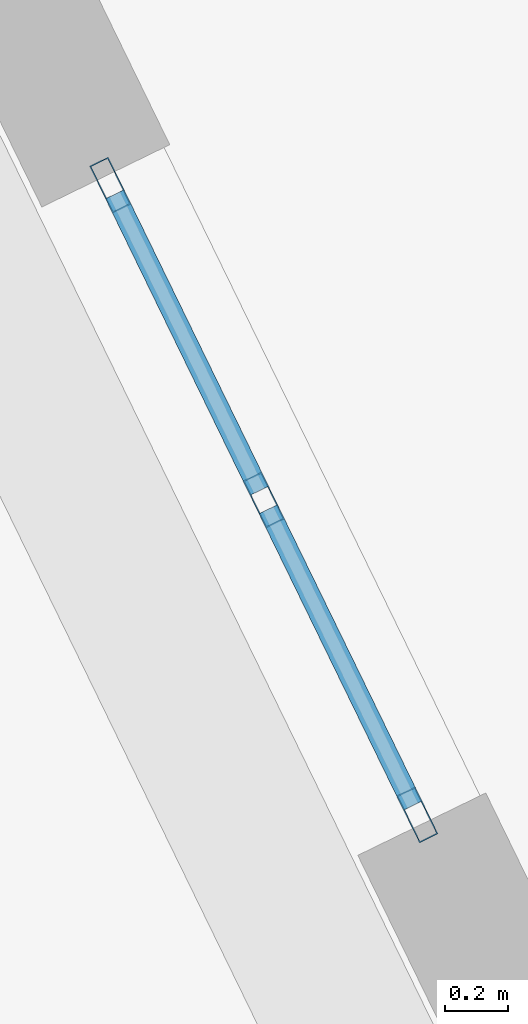
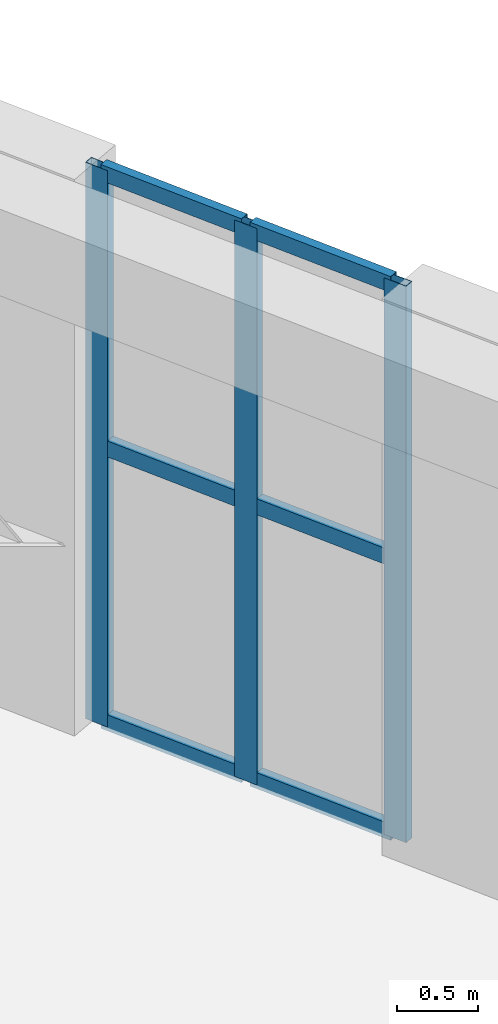
# One storey, part 9 of 15: 9 members, 1 element without a shape of its own.
"""IFC4 building model written with IfcOpenShell, lengths in metres."""

from ifc_helpers import new_model, si_unit, direction, frame, origin, origin_2d, place, context, subcontext, project, spatial, hollow_rectangle, extrude, material, layer, layer_set, material_profile, profile_set, type_object, element, aggregate, save


model = new_model("IFC4")

# Units and contexts
model_context = context("Model", 3, precision=1e-05, world=origin(), true_north=direction((0.0, 1.0)))
body_context = subcontext(model_context, "Body", "Model", "MODEL_VIEW")
ifc_project = project(units=[si_unit("LENGTHUNIT", "METRE"), si_unit("AREAUNIT", "SQUARE_METRE"), si_unit("VOLUMEUNIT", "CUBIC_METRE"), si_unit("PLANEANGLEUNIT", "RADIAN"), si_unit("MASSUNIT", "GRAM", prefix="KILO")], contexts=[model_context])

# Site, building, storey
site_placement = place(None, origin())
site = spatial("IfcSite", under=ifc_project, at=site_placement, CompositionType="ELEMENT")
building_placement = place(site_placement, origin())
building = spatial("IfcBuilding", under=site, at=building_placement, Name="Kilnhurst Terrace Hotel", CompositionType="ELEMENT")
storey_placement = place(building_placement, frame((0.0, 0.0, 288.60009765625)))
storey = spatial("IfcBuildingStorey", under=building, at=storey_placement, Name="L72", CompositionType="ELEMENT", Elevation=288.60009765625)

# Curtain wall, members
ifc_material_1 = material(Name="Anodized Aluminium Alloy 6063-T6 and Low-E Glass", Category="aluminium")
ifc_layer = layer(ifc_material_1, 0.219970703125, Name="Anodized Aluminium Alloy 6063-T6 and Low-E Glass")
ifc_layer_set = layer_set([ifc_layer], Name="Anodized Aluminium Alloy 6063-T6 and Low-E Glass")
curtain_wall_type = type_object("IfcCurtainWallType", Name="CW-PORTAL-L72", PredefinedType="NOTDEFINED", material=ifc_layer_set)
curtain_wall_placement = place(storey_placement, origin())
curtain_wall = element("IfcCurtainWall", 1, at=curtain_wall_placement, inside=storey, type_object=curtain_wall_type, Name="L72 Curtain Wall CW-L72-F3-2", PredefinedType="NOTDEFINED")
ifc_material_2 = material(Name="Extruded Aluminium Alloy 6063-T6", Category="aluminium")
ifc_material_profile_1 = material_profile(ifc_material_2, hollow_rectangle(XDim=0.06494140625, YDim=0.1650390625, WallThickness=0.00341796875, at=origin_2d()), Name="CWM65X165")
ifc_profile_set_1 = profile_set([ifc_material_profile_1], Name="Extruded Aluminium Alloy 6063-T6")
member_type_1 = type_object("IfcMemberType", Name="MEM-CWM65X165", PredefinedType="MULLION", material=ifc_profile_set_1)
member_1_placement = place(storey_placement, frame((16.44287109375, 12.0048828125, 0.0), z_axis=(0.0, 0.0, 1.0), x_axis=(-0.898905758629, -0.43814202846, 0.0)))
member_1 = element("IfcMember", 2, at=member_1_placement, type_object=member_type_1, Name="CWP-5 mullion 1", PredefinedType="MULLION", context=body_context, shape_type="SweptSolid", body=[
    extrude(hollow_rectangle(XDim=0.06494140625, YDim=0.1650390625, WallThickness=0.00341796875, at=origin_2d()), origin(), (0.0, 0.0, 1.0), 4.179931640625),
])
member_2_placement = place(storey_placement, frame((15.957275390625, 13.0009765625, 0.0), z_axis=(0.0, 0.0, 1.0), x_axis=(-0.898905758629, -0.43814202846, 0.0)))
member_2 = element("IfcMember", 3, at=member_2_placement, type_object=member_type_1, Name="CWP-5 mullion 2", PredefinedType="MULLION", context=body_context, shape_type="SweptSolid", body=[
    extrude(hollow_rectangle(XDim=0.06494140625, YDim=0.1650390625, WallThickness=0.00341796875, at=origin_2d()), origin(), (0.0, 0.0, 1.0), 4.179931640625),
])
member_3_placement = place(storey_placement, frame((15.471923828125, 13.996826171875, 0.0), z_axis=(0.0, 0.0, 1.0), x_axis=(-0.898905758629, -0.43814202846, 0.0)))
member_3 = element("IfcMember", 4, at=member_3_placement, type_object=member_type_1, Name="CWP-5 mullion 3", PredefinedType="MULLION", context=body_context, shape_type="SweptSolid", body=[
    extrude(hollow_rectangle(XDim=0.06494140625, YDim=0.1650390625, WallThickness=0.00341796875, at=origin_2d()), origin(), (0.0, 0.0, 1.0), 4.179931640625),
])
ifc_material_profile_2 = material_profile(ifc_material_2, hollow_rectangle(XDim=0.06494140625, YDim=0.1201171875, WallThickness=0.00341796875, at=origin_2d()), Name="CWT65X120")
ifc_profile_set_2 = profile_set([ifc_material_profile_2], Name="Extruded Aluminium Alloy 6063-T6")
member_type_2 = type_object("IfcMemberType", Name="MEM-CWT65X120", PredefinedType="USERDEFINED", material=ifc_profile_set_2)
member_4_placement = place(storey_placement, frame((16.428466796875, 12.0341796875, 0.032470703125), z_axis=(-0.438202247191, 0.898876404494, 0.0), x_axis=(-0.898876404494, -0.438202247191, 0.0)))
member_4 = element("IfcMember", 5, at=member_4_placement, type_object=member_type_2, Name="CWP-5 transom 1.1", ObjectType="TRANSOM", PredefinedType="USERDEFINED", context=body_context, shape_type="SweptSolid", body=[
    extrude(hollow_rectangle(XDim=0.06494140625, YDim=0.1201171875, WallThickness=0.00341796875, at=origin_2d()), origin(), (0.0, 0.0, 1.0), 1.04296875),
])
member_5_placement = place(storey_placement, frame((16.428466796875, 12.0341796875, 2.08984375), z_axis=(-0.438202247191, 0.898876404494, 0.0), x_axis=(-0.898876404494, -0.438202247191, 0.0)))
member_5 = element("IfcMember", 6, at=member_5_placement, type_object=member_type_2, Name="CWP-5 transom 1.2", ObjectType="TRANSOM", PredefinedType="USERDEFINED", context=body_context, shape_type="SweptSolid", body=[
    extrude(hollow_rectangle(XDim=0.06494140625, YDim=0.1201171875, WallThickness=0.00341796875, at=origin_2d()), origin(), (0.0, 0.0, 1.0), 1.04296875),
])
member_6_placement = place(storey_placement, frame((16.428466796875, 12.0341796875, 4.1474609375), z_axis=(-0.438202247191, 0.898876404494, 0.0), x_axis=(-0.898876404494, -0.438202247191, 0.0)))
member_6 = element("IfcMember", 7, at=member_6_placement, type_object=member_type_2, Name="CWP-5 transom 1.3", ObjectType="TRANSOM", PredefinedType="USERDEFINED", context=body_context, shape_type="SweptSolid", body=[
    extrude(hollow_rectangle(XDim=0.06494140625, YDim=0.1201171875, WallThickness=0.00341796875, at=origin_2d()), origin(), (0.0, 0.0, 1.0), 1.04296875),
])
member_7_placement = place(storey_placement, frame((15.943115234375, 13.030029296875, 0.032470703125), z_axis=(-0.438110061648, 0.898921339097, 0.0), x_axis=(-0.898921339097, -0.438110061648, 0.0)))
member_7 = element("IfcMember", 8, at=member_7_placement, type_object=member_type_2, Name="CWP-5 transom 2.1", ObjectType="TRANSOM", PredefinedType="USERDEFINED", context=body_context, shape_type="SweptSolid", body=[
    extrude(hollow_rectangle(XDim=0.06494140625, YDim=0.1201171875, WallThickness=0.00341796875, at=origin_2d()), origin(), (0.0, 0.0, 1.0), 1.043212890625),
])
member_8_placement = place(storey_placement, frame((15.943115234375, 13.030029296875, 2.08984375), z_axis=(-0.438110061648, 0.898921339097, 0.0), x_axis=(-0.898921339097, -0.438110061648, 0.0)))
member_8 = element("IfcMember", 9, at=member_8_placement, type_object=member_type_2, Name="CWP-5 transom 2.2", ObjectType="TRANSOM", PredefinedType="USERDEFINED", context=body_context, shape_type="SweptSolid", body=[
    extrude(hollow_rectangle(XDim=0.06494140625, YDim=0.1201171875, WallThickness=0.00341796875, at=origin_2d()), origin(), (0.0, 0.0, 1.0), 1.043212890625),
])
member_9_placement = place(storey_placement, frame((15.943115234375, 13.030029296875, 4.1474609375), z_axis=(-0.438110061648, 0.898921339097, 0.0), x_axis=(-0.898921339097, -0.438110061648, 0.0)))
member_9 = element("IfcMember", 10, at=member_9_placement, type_object=member_type_2, Name="CWP-5 transom 2.3", ObjectType="TRANSOM", PredefinedType="USERDEFINED", context=body_context, shape_type="SweptSolid", body=[
    extrude(hollow_rectangle(XDim=0.06494140625, YDim=0.1201171875, WallThickness=0.00341796875, at=origin_2d()), origin(), (0.0, 0.0, 1.0), 1.043212890625),
])
aggregate(curtain_wall, [member_1, member_2, member_3, member_4, member_5, member_6, member_7, member_8, member_9])

save(model, "model.ifc")
